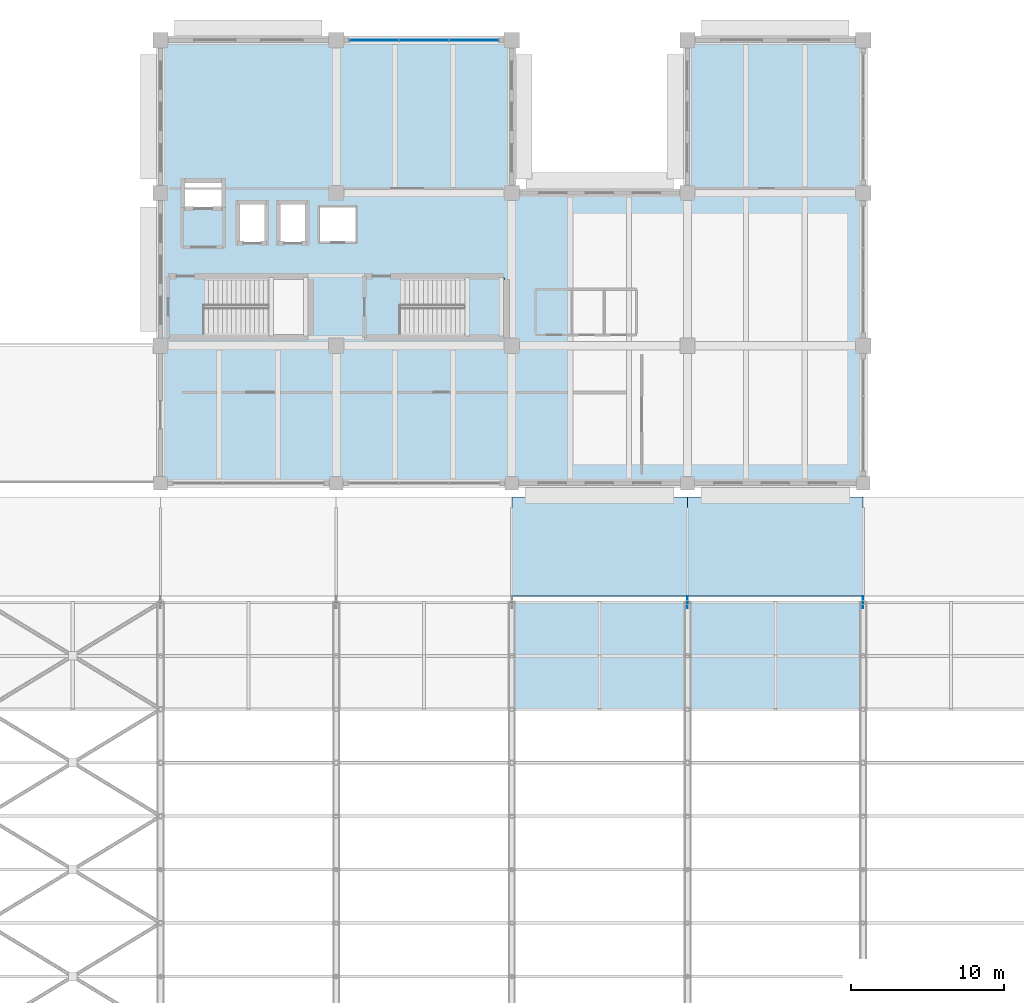
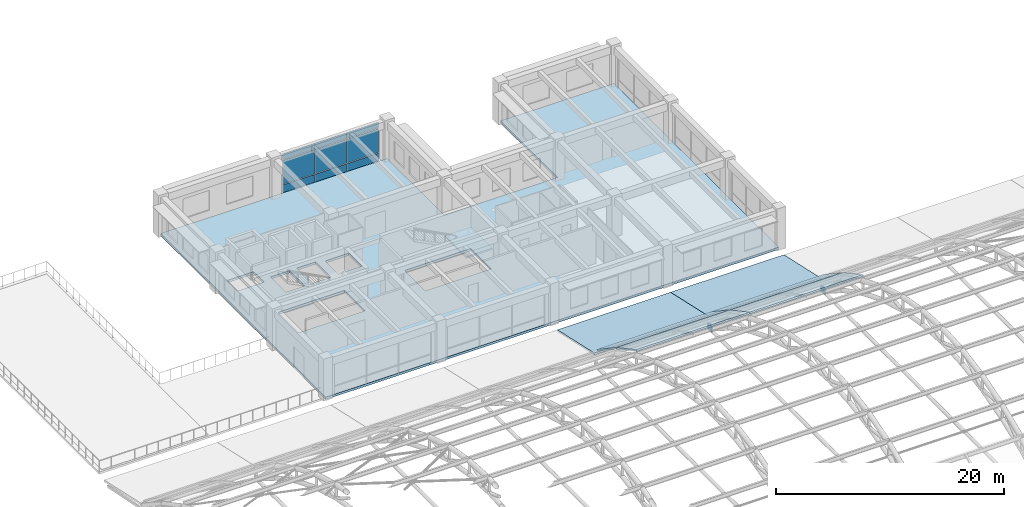
# One storey, part 128 of 154: 11 plates, 8 slabs, 2 elements without a shape of their own.
"""IFC4 building model written with IfcOpenShell, lengths in metres."""

from ifc_helpers import new_model, si_unit, direction, frame, origin, origin_2d, place, context, subcontext, project, spatial, polyline, rectangle, outline, extrude, material, layer, layer_set, type_object, element, aggregate, save


model = new_model("IFC4")

# Units and contexts
model_context = context("Model", 3, precision=1e-05, world=origin(), true_north=direction((0.0, 1.0)))
body_context = subcontext(model_context, "Body", "Model", "MODEL_VIEW")
ifc_project = project(units=[si_unit("LENGTHUNIT", "METRE"), si_unit("AREAUNIT", "SQUARE_METRE"), si_unit("VOLUMEUNIT", "CUBIC_METRE"), si_unit("PLANEANGLEUNIT", "RADIAN"), si_unit("MASSUNIT", "GRAM", prefix="KILO")], contexts=[model_context])

# Site, building, storey
site_placement = place(None, origin())
site = spatial("IfcSite", under=ifc_project, at=site_placement, CompositionType="ELEMENT")
building_placement = place(site_placement, origin())
building = spatial("IfcBuilding", under=site, at=building_placement, Name="Ologun Quay Terminus", CompositionType="ELEMENT")
storey_placement = place(building_placement, frame((0.0, 0.0, 13.800048828125)))
storey = spatial("IfcBuildingStorey", under=building, at=storey_placement, Name="L03", CompositionType="ELEMENT", Elevation=13.800048828125)

# Curtain wall, plates
ifc_material_1 = material(Name="Aluminium 6063-T6", Category="aluminium")
curtain_wall_type = type_object("IfcCurtainWallType", Name="Waterfront Pavilion Harbour Curtain Wall L03 10600x4150", PredefinedType="USERDEFINED", material=ifc_material_1)
curtain_wall_placement = place(storey_placement, origin())
curtain_wall = element("IfcCurtainWall", 1, at=curtain_wall_placement, inside=storey, type_object=curtain_wall_type, Name="CW-25 Curtain Wall CW-L03-114", ObjectType="UNITISED CURTAIN WALL", PredefinedType="USERDEFINED")
ifc_material_2 = material(Name="Aluminium 6063-T6", Category="aluminium")
ifc_layer_1 = layer(ifc_material_2, 0.06005859375)
ifc_layer_set_1 = layer_set([ifc_layer_1], Name="Aluminium 6063-T6")
plate_type_1 = type_object("IfcPlateType", Name="Anodised Bronze Spandrel Panel 60", PredefinedType="CURTAIN_PANEL", material=ifc_layer_set_1)
plate_1_placement = place(storey_placement, frame((36.99658203125, 114.800048828125, 0.02978515625), z_axis=(0.0, 0.0, 1.0), x_axis=(1.0, 0.0, 0.0)))
plate_1 = element("IfcPlate", 2, at=plate_1_placement, type_object=plate_type_1, Name="CW-L03-114 Panel B1-1", PredefinedType="CURTAIN_PANEL", context=body_context, shape_type="SweptSolid", body=[
    extrude(rectangle(XDim=3.25341796875, YDim=0.06005859375, at=origin_2d()), origin(), (0.0, 0.0, 1.0), 0.840087890625),
])
plate_2_placement = place(storey_placement, frame((40.25, 114.800048828125, 0.02978515625), z_axis=(0.0, 0.0, 1.0), x_axis=(1.0, 0.0, 0.0)))
plate_2 = element("IfcPlate", 3, at=plate_2_placement, type_object=plate_type_1, Name="CW-L03-114 Panel B2-1", PredefinedType="CURTAIN_PANEL", context=body_context, shape_type="SweptSolid", body=[
    extrude(rectangle(XDim=3.25341796875, YDim=0.06005859375, at=origin_2d()), origin(), (0.0, 0.0, 1.0), 0.840087890625),
])
plate_3_placement = place(storey_placement, frame((43.50341796875, 114.800048828125, 0.02978515625), z_axis=(0.0, 0.0, 1.0), x_axis=(1.0, 0.0, 0.0)))
plate_3 = element("IfcPlate", 4, at=plate_3_placement, type_object=plate_type_1, Name="CW-L03-114 Panel B3-1", PredefinedType="CURTAIN_PANEL", context=body_context, shape_type="SweptSolid", body=[
    extrude(rectangle(XDim=3.25341796875, YDim=0.06005859375, at=origin_2d()), origin(), (0.0, 0.0, 1.0), 0.840087890625),
])

# Plates
ifc_material_3 = material(Name="Steel S355", Category="steel")
ifc_layer_2 = layer(ifc_material_3, 0.0400390625)
ifc_layer_set_2 = layer_set([ifc_layer_2], Name="Steel S355")
plate_type_2 = type_object("IfcPlateType", Name="Arch Springing Steel Gusset Plate 40", PredefinedType="SHEET", material=ifc_layer_set_2)
for number, where, z_axis, x_axis, name in (
    (5, (57.5, 78.0, -0.2001953125), (0.0, 0.0, 1.0), (0.0, 1.0, 0.0), "PL-GUS Arch Springing Gusset 6/F"),
    (6, (69.0, 78.0, -0.2001953125), (0.0, 0.0, 1.0), (0.0, 1.0, 0.0), "PL-GUS Arch Springing Gusset 7/F"),
):
    element("IfcPlate", number, at=place(storey_placement, frame(where, z_axis=z_axis, x_axis=x_axis)), inside=storey, type_object=plate_type_2, Name=name, PredefinedType="SHEET", context=body_context, shape_type="SweptSolid", body=[
        extrude(rectangle(XDim=0.800048828125, YDim=0.0400390625, at=origin_2d()), origin(), (0.0, 0.0, 1.0), 0.699951171875),
    ])

# Plate
ifc_material_4 = material(Name="Glass", Category="glass")
ifc_layer_3 = layer(ifc_material_4, 0.035888671875)
ifc_layer_set_3 = layer_set([ifc_layer_3], Name="Glass")
plate_type_3 = type_object("IfcPlateType", Name="High-Selectivity Harbour Glazed Panel 36", PredefinedType="CURTAIN_PANEL", material=ifc_layer_set_3)
plate_4_placement = place(storey_placement, frame((36.99658203125, 114.800048828125, 0.9296875), z_axis=(0.0, 0.0, 1.0), x_axis=(1.0, 0.0, 0.0)))
plate_4 = element("IfcPlate", 7, at=plate_4_placement, type_object=plate_type_3, Name="CW-L03-114 Panel B1-2", PredefinedType="CURTAIN_PANEL", context=body_context, shape_type="SweptSolid", body=[
    extrude(rectangle(XDim=3.25341796875, YDim=0.035888671875, at=origin_2d()), origin(), (0.0, 0.0, 1.0), 2.570068359375),
])

plate_5_placement = place(storey_placement, frame((36.99658203125, 114.800048828125, 3.56005859375), z_axis=(0.0, 0.0, 1.0), x_axis=(1.0, 0.0, 0.0)))
plate_5 = element("IfcPlate", 8, at=plate_5_placement, type_object=plate_type_3, Name="CW-L03-114 Panel B1-3", PredefinedType="CURTAIN_PANEL", context=body_context, shape_type="SweptSolid", body=[
    extrude(rectangle(XDim=3.25341796875, YDim=0.035888671875, at=origin_2d()), origin(), (0.0, 0.0, 1.0), 0.639892578125),
])

plate_6_placement = place(storey_placement, frame((40.25, 114.800048828125, 0.9296875), z_axis=(0.0, 0.0, 1.0), x_axis=(1.0, 0.0, 0.0)))
plate_6 = element("IfcPlate", 9, at=plate_6_placement, type_object=plate_type_3, Name="CW-L03-114 Panel B2-2", PredefinedType="CURTAIN_PANEL", context=body_context, shape_type="SweptSolid", body=[
    extrude(rectangle(XDim=3.25341796875, YDim=0.035888671875, at=origin_2d()), origin(), (0.0, 0.0, 1.0), 2.570068359375),
])

plate_7_placement = place(storey_placement, frame((40.25, 114.800048828125, 3.56005859375), z_axis=(0.0, 0.0, 1.0), x_axis=(1.0, 0.0, 0.0)))
plate_7 = element("IfcPlate", 10, at=plate_7_placement, type_object=plate_type_3, Name="CW-L03-114 Panel B2-3", PredefinedType="CURTAIN_PANEL", context=body_context, shape_type="SweptSolid", body=[
    extrude(rectangle(XDim=3.25341796875, YDim=0.035888671875, at=origin_2d()), origin(), (0.0, 0.0, 1.0), 0.639892578125),
])

plate_8_placement = place(storey_placement, frame((43.50341796875, 114.800048828125, 0.9296875), z_axis=(0.0, 0.0, 1.0), x_axis=(1.0, 0.0, 0.0)))
plate_8 = element("IfcPlate", 11, at=plate_8_placement, type_object=plate_type_3, Name="CW-L03-114 Panel B3-2", PredefinedType="CURTAIN_PANEL", context=body_context, shape_type="SweptSolid", body=[
    extrude(rectangle(XDim=3.25341796875, YDim=0.035888671875, at=origin_2d()), origin(), (0.0, 0.0, 1.0), 2.570068359375),
])

plate_9_placement = place(storey_placement, frame((43.50341796875, 114.800048828125, 3.56005859375), z_axis=(0.0, 0.0, 1.0), x_axis=(1.0, 0.0, 0.0)))
plate_9 = element("IfcPlate", 12, at=plate_9_placement, type_object=plate_type_3, Name="CW-L03-114 Panel B3-3", PredefinedType="CURTAIN_PANEL", context=body_context, shape_type="SweptSolid", body=[
    extrude(rectangle(XDim=3.25341796875, YDim=0.035888671875, at=origin_2d()), origin(), (0.0, 0.0, 1.0), 0.639892578125),
])

aggregate(curtain_wall, [plate_1, plate_4, plate_5, plate_2, plate_6, plate_7, plate_3, plate_8, plate_9])

# Slabs
ifc_material_5 = material(Name="Concrete C40/50", Category="concrete")
ifc_layer_4 = layer(ifc_material_5, 0.25)
ifc_layer_set_4 = layer_set([ifc_layer_4], Name="Concrete C40/50")
slab_type_1 = type_object("IfcSlabType", Name="North Wing Floor Slab 250", PredefinedType="FLOOR", material=ifc_layer_set_4)
slab_1_placement = place(storey_placement, frame((0.0, 0.0, -0.25)))
element("IfcSlab", 13, at=slab_1_placement, inside=storey, type_object=slab_type_1, Name="SL-TWR Wing Floor Slab L03 WWNG", PredefinedType="FLOOR", context=body_context, shape_type="SweptSolid", body=[
    extrude(outline(polyline([(23.0, 85.800048828125), (69.0, 85.800048828125), (69.0, 114.800048828125), (57.5, 114.800048828125), (57.5, 104.800048828125), (46.0, 104.800048828125), (46.0, 114.800048828125), (23.0, 114.800048828125), (23.0, 85.800048828125)]), holes=[polyline([(24.449951171875, 103.780029296875), (24.449951171875, 105.6201171875), (27.14990234375, 105.6201171875), (27.14990234375, 103.780029296875), (24.449951171875, 103.780029296875)]), polyline([(28.050048828125, 101.5), (28.050048828125, 104.199951171875), (29.949951171875, 104.199951171875), (29.949951171875, 101.5), (28.050048828125, 101.5)]), polyline([(30.699951171875, 101.5), (30.699951171875, 104.199951171875), (32.60009765625, 104.199951171875), (32.60009765625, 101.5), (30.699951171875, 101.5)]), polyline([(25.8798828125, 95.550048828125), (25.8798828125, 99.14990234375), (32.64990234375, 99.14990234375), (32.64990234375, 95.550048828125), (25.8798828125, 95.550048828125)]), polyline([(38.72998046875, 95.550048828125), (38.72998046875, 99.14990234375), (45.449951171875, 99.14990234375), (45.449951171875, 95.550048828125), (38.72998046875, 95.550048828125)]), polyline([(33.39990234375, 101.60009765625), (33.39990234375, 103.89990234375), (35.800048828125, 103.89990234375), (35.800048828125, 101.60009765625), (33.39990234375, 101.60009765625)])]), origin(), (0.0, 0.0, 1.0), 0.25),
])
ifc_material_6 = material(Name="Concrete C40/50", Category="concrete")
ifc_layer_5 = layer(ifc_material_6, 0.199951171875)
ifc_layer_set_5 = layer_set([ifc_layer_5], Name="Concrete C40/50")
slab_type_2 = type_object("IfcSlabType", Name="Pitched Overhanging Concrete Roof Slab 200", PredefinedType="ROOF", material=ifc_layer_set_5)
for number, where, z_axis, x_axis, name in (
    (14, (46.0, 84.909912109375, -0.271240234375), (0.0, 0.21695378705, 0.976181875618), (1.0, 0.0, 0.0), "SL-RF North Gallery Sloped Roof Bay 5"),
    (15, (57.5, 84.909912109375, -0.271240234375), (0.0, 0.21695378705, 0.976181875618), (1.0, 0.0, 0.0), "SL-RF North Gallery Sloped Roof Bay 6"),
):
    element("IfcSlab", number, at=place(storey_placement, frame(where, z_axis=z_axis, x_axis=x_axis)), inside=storey, type_object=slab_type_2, Name=name, PredefinedType="ROOF", context=body_context, shape_type="SweptSolid", body=[
        extrude(outline(polyline([(0.0, 0.0), (11.5, 0.0), (11.5, -6.648341253281022), (0.0, -6.648341253281022), (0.0, 0.0)])), origin(), (0.0, 0.0, -1.0), 0.199951171875),
    ])

# Stair, slab
ifc_material_7 = material(Name="Concrete C40/50", Category="concrete")
stair_type = type_object("IfcStairType", Name="Courtyard Wing Core Escape Stair 1700", PredefinedType="HALF_TURN_STAIR", material=ifc_material_7)
stair_placement = place(storey_placement, origin())
stair = element("IfcStair", 16, at=stair_placement, inside=storey, type_object=stair_type, Name="ST-W2 Stair L03", PredefinedType="HALF_TURN_STAIR")
ifc_material_8 = material(Name="Precast Concrete C40/50", Category="concrete")
ifc_layer_6 = layer(ifc_material_8, 0.179931640625)
ifc_layer_set_6 = layer_set([ifc_layer_6], Name="Precast Concrete C40/50")
slab_type_3 = type_object("IfcSlabType", Name="Precast Stair Half-Landing Slab 180", PredefinedType="LANDING", material=ifc_layer_set_6)
slab_2_placement = place(storey_placement, frame((0.0, 0.0, 2.070068359375)))
slab_2 = element("IfcSlab", 17, at=slab_2_placement, type_object=slab_type_3, Name="ST-W2 Half-Landing L03", PredefinedType="LANDING", context=body_context, shape_type="SweptSolid", body=[
    extrude(outline(polyline([(42.8701171875, 95.469970703125), (45.530029296875, 95.469970703125), (45.530029296875, 99.22998046875), (42.8701171875, 99.22998046875), (42.8701171875, 95.469970703125)])), origin(), (0.0, 0.0, 1.0), 0.179931640625),
])
aggregate(stair, [slab_2])

# Slabs
ifc_material_9 = material(Name="Steel S355", Category="steel")
ifc_layer_7 = layer(ifc_material_9, 0.159912109375)
ifc_layer_set_7 = layer_set([ifc_layer_7], Name="Steel S355")
slab_type_4 = type_object("IfcSlabType", Name="Train Shed Barrel Roof Facet Slab 160", PredefinedType="ROOF", material=ifc_layer_set_7)
slab_3_placement = place(storey_placement, frame((46.0, 71.0, 6.0283203125), z_axis=(0.0, 0.473176099324, 0.880967864924), x_axis=(1.0, 0.0, 0.0)))
element("IfcSlab", 18, at=slab_3_placement, inside=storey, type_object=slab_type_4, Name="SL-SHD Train Shed Eave Roof Facet B5-P11", PredefinedType="ROOF", context=body_context, shape_type="SweptSolid", body=[
    extrude(outline(polyline([(0.0, 0.0), (11.5, 0.0), (11.5, 3.972903143638529), (0.0, 3.972903143638529), (0.0, 0.0)])), origin(), (0.0, 0.0, -1.0), 0.159912109375),
])
slab_4_placement = place(storey_placement, frame((46.0, 74.5, 4.158203125), z_axis=(0.0, 0.55717065423, 0.830398014247), x_axis=(1.0, 0.0, 0.0)))
element("IfcSlab", 19, at=slab_4_placement, inside=storey, type_object=slab_type_4, Name="SL-SHD Train Shed Eave Roof Facet B5-P12", PredefinedType="ROOF", context=body_context, shape_type="SweptSolid", body=[
    extrude(outline(polyline([(0.0, 0.0), (11.5, 0.0), (11.5, 4.214846302558472), (0.0, 4.214846302558472), (0.0, 0.0)])), origin(), (0.0, 0.0, -1.0), 0.159912109375),
])
slab_5_placement = place(storey_placement, frame((57.5, 71.0, 6.0283203125), z_axis=(0.0, 0.473176099324, 0.880967864924), x_axis=(1.0, 0.0, 0.0)))
element("IfcSlab", 20, at=slab_5_placement, inside=storey, type_object=slab_type_4, Name="SL-SHD Train Shed Eave Roof Facet B6-P11", PredefinedType="ROOF", context=body_context, shape_type="SweptSolid", body=[
    extrude(outline(polyline([(0.0, 0.0), (11.5, 0.0), (11.5, 3.972903143638529), (0.0, 3.972903143638529), (0.0, 0.0)])), origin(), (0.0, 0.0, -1.0), 0.159912109375),
])
slab_6_placement = place(storey_placement, frame((57.5, 74.5, 4.158203125), z_axis=(0.0, 0.55717065423, 0.830398014247), x_axis=(1.0, 0.0, 0.0)))
element("IfcSlab", 21, at=slab_6_placement, inside=storey, type_object=slab_type_4, Name="SL-SHD Train Shed Eave Roof Facet B6-P12", PredefinedType="ROOF", context=body_context, shape_type="SweptSolid", body=[
    extrude(outline(polyline([(0.0, 0.0), (11.5, 0.0), (11.5, 4.214846302558472), (0.0, 4.214846302558472), (0.0, 0.0)])), origin(), (0.0, 0.0, -1.0), 0.159912109375),
])

save(model, "model.ifc")
